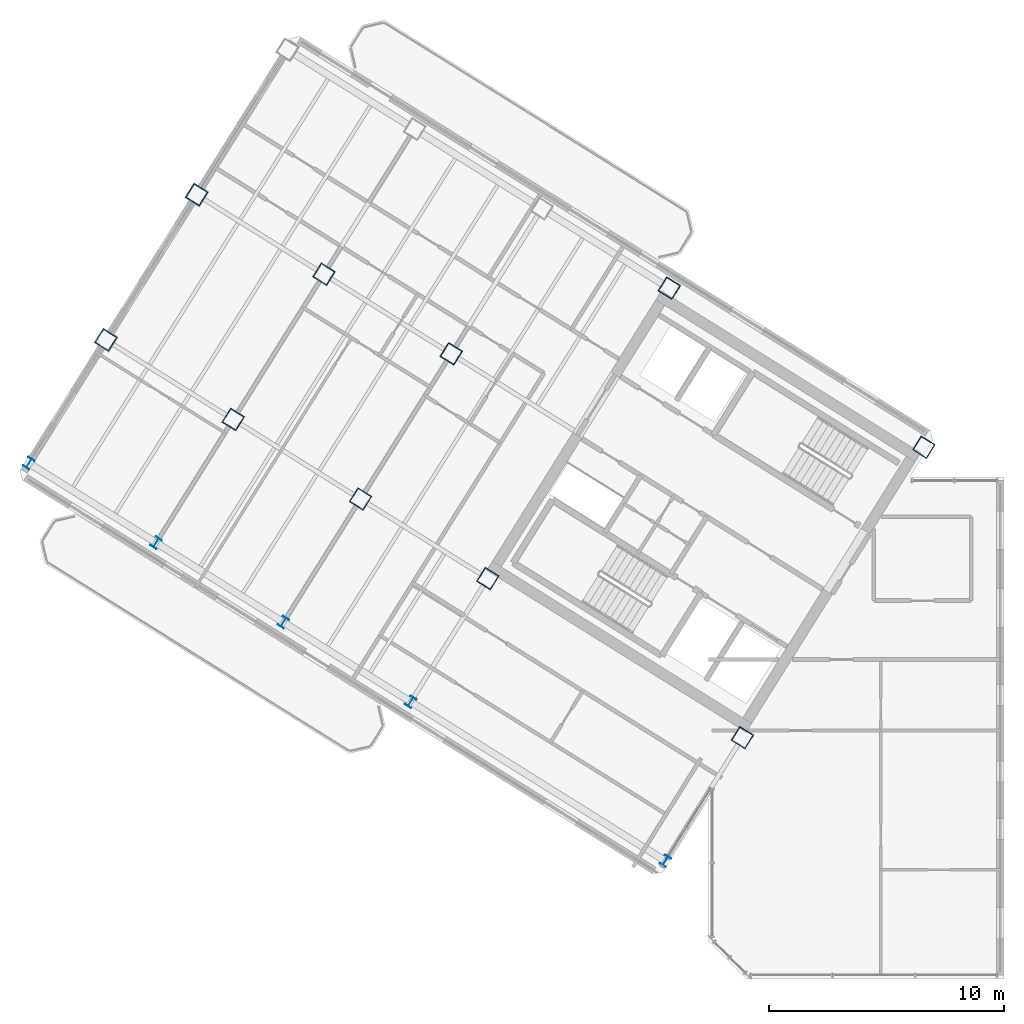
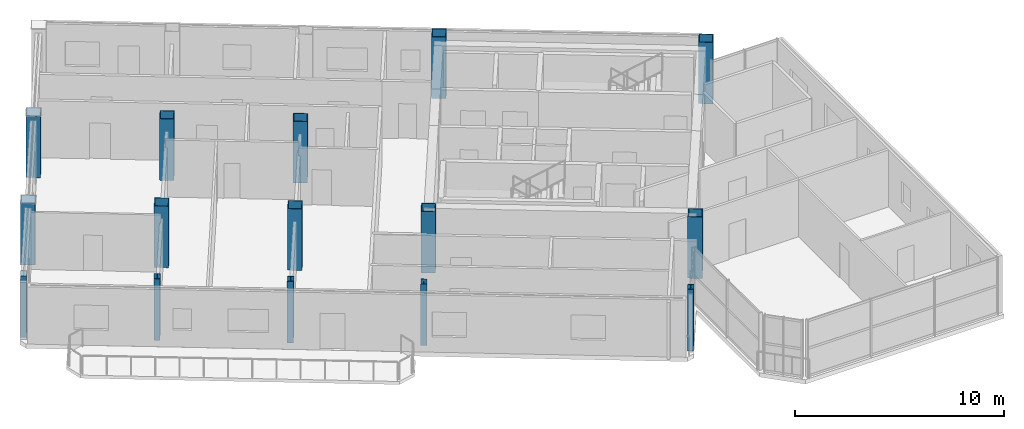
# One storey, part 1 of 17: 15 columns.
"""IFC4 building model written with IfcOpenShell, lengths in metres."""

import ifcopenshell
import ifcopenshell.guid

model = None  # the IFC model being written
_history = None  # IfcOwnerHistory: only IFC2X3 demands one
_inside = {}  # id of a spatial element -> (the spatial element, [elements in it])
_under = {}  # id of a project, library or spatial element -> (it, [spatial elements below it])
_declared = {}  # id of a project -> (the project, [libraries it declares])
_typed = {}  # id of a type object -> (the type object, [elements of that type])
_made_of = {}  # id of a material, layer set ... -> (it, [elements and type objects made of it])


def new_model(schema):
    """Start an empty IFC model of exactly this schema.

    Asked for "IFC4X3", IfcOpenShell would pick the latest addendum, in which some entities
    have other attributes; the version numbers below select the first issue.
    IFC2X3 requires an IfcOwnerHistory on every rooted entity: one is made here for all.
    """
    global model, _history
    if schema == "IFC4X3":
        model = ifcopenshell.file(schema_version=(4, 3, 0, 0))
    else:
        model = ifcopenshell.file(schema=schema)
    _inside.clear()
    _under.clear()
    _declared.clear()
    _typed.clear()
    _made_of.clear()
    _history = None
    if model.schema == "IFC2X3":
        org = make("IfcOrganization", Name="unknown")
        user = make(
            "IfcPersonAndOrganization",
            ThePerson=make("IfcPerson", FamilyName="unknown"),
            TheOrganization=org,
        )
        app = make(
            "IfcApplication",
            ApplicationDeveloper=org,
            Version="unknown",
            ApplicationFullName="unknown",
            ApplicationIdentifier="unknown",
        )
        _history = make(
            "IfcOwnerHistory",
            OwningUser=user,
            OwningApplication=app,
            ChangeAction="ADDED",
            CreationDate=0,
        )
    return model


def make(cls, **values):
    """One entity of the class cls with the attributes given. An attribute that is None is left unset."""
    return model.create_entity(
        cls, **{name: value for name, value in values.items() if value is not None}
    )


def rooted(cls, **values):
    """An entity with a GlobalId (a new one), such as an element, a storey or a relation."""
    return make(cls, GlobalId=ifcopenshell.guid.new(), OwnerHistory=_history, **values)


def si_unit(unit_type, name, prefix=None):
    """IfcSIUnit, for example si_unit("LENGTHUNIT", "METRE", prefix="MILLI")."""
    return make("IfcSIUnit", UnitType=unit_type, Prefix=prefix, Name=name)


def assignment(units):
    """IfcUnitAssignment: the units of a project."""
    return None if units is None else make("IfcUnitAssignment", Units=units)


def point(xyz):
    """IfcCartesianPoint."""
    return None if xyz is None else make("IfcCartesianPoint", Coordinates=xyz)


def direction(xyz):
    """IfcDirection."""
    return None if xyz is None else make("IfcDirection", DirectionRatios=xyz)


def frame(location, z_axis=None, x_axis=None):
    """IfcAxis2Placement3D, a coordinate frame: its origin and axes. An axis left out is left unset."""
    return make(
        "IfcAxis2Placement3D",
        Location=point(location),
        Axis=direction(z_axis),
        RefDirection=direction(x_axis),
    )


def frame_2d(location, x_axis=None):
    """IfcAxis2Placement2D, a coordinate frame in the plane: its origin and x axis."""
    return make(
        "IfcAxis2Placement2D", Location=point(location), RefDirection=direction(x_axis)
    )


def origin():
    """The frame at (0, 0, 0) with its axes left unset."""
    return frame((0.0, 0.0, 0.0))


def origin_2d():
    """The frame at (0, 0) in the plane with its x axis left unset."""
    return frame_2d((0.0, 0.0))


def place(relative_to, where):
    """IfcLocalPlacement: puts the frame where relative to a parent placement (None: the world)."""
    return make(
        "IfcLocalPlacement", PlacementRelTo=relative_to, RelativePlacement=where
    )


def context(
    kind, dimensions, precision=None, world=None, true_north=None, identifier=None
):
    """IfcGeometricRepresentationContext, for example the 3D "Model" context."""
    return make(
        "IfcGeometricRepresentationContext",
        ContextIdentifier=identifier,
        ContextType=kind,
        CoordinateSpaceDimension=dimensions,
        Precision=precision,
        WorldCoordinateSystem=world,
        TrueNorth=true_north,
    )


def subcontext(parent, identifier, kind, view, scale=None):
    """IfcGeometricRepresentationSubContext, for example "Body" below "Model"."""
    return make(
        "IfcGeometricRepresentationSubContext",
        ContextIdentifier=identifier,
        ContextType=kind,
        ParentContext=parent,
        TargetScale=scale,
        TargetView=view,
    )


def project(units=None, contexts=None):
    """IfcProject with its units and contexts."""
    return rooted(
        "IfcProject",
        Name="project",
        RepresentationContexts=contexts,
        UnitsInContext=assignment(units),
    )


def spatial(cls, under=None, at=None, **own):
    """A site, building, storey or space (cls), placed at a placement, below another one or the project."""
    s = rooted(cls, ObjectPlacement=at, **own)
    if under is not None:
        _under.setdefault(under.id(), (under, []))[1].append(s)
    return s


def profile(cls, at=None, kind="AREA", **sizes):
    """A parametric profile (cls). Its sizes go by their IFC names, for example OverallWidth=200.0."""
    return make(cls, ProfileType=kind, Position=at, **sizes)


def hollow_rectangle(**sizes):
    """IfcRectangleHollowProfileDef."""
    return profile("IfcRectangleHollowProfileDef", **sizes)


def i_section(**sizes):
    """IfcIShapeProfileDef."""
    return profile("IfcIShapeProfileDef", **sizes)


def extrude(swept, where, along, depth):
    """IfcExtrudedAreaSolid: the profile swept, set in the frame where, extruded along a direction by depth."""
    return make(
        "IfcExtrudedAreaSolid",
        SweptArea=swept,
        Position=where,
        ExtrudedDirection=direction(along),
        Depth=depth,
    )


def shape(context_of_items, identifier, shape_type, items):
    """IfcShapeRepresentation: the items that make up one representation, for example the "Body"."""
    return make(
        "IfcShapeRepresentation",
        ContextOfItems=context_of_items,
        RepresentationIdentifier=identifier,
        RepresentationType=shape_type,
        Items=items,
    )


def source(mapping_origin, context_of_items, identifier, shape_type, items):
    """IfcRepresentationMap: a shape defined once, which mapped items show again and again."""
    return make(
        "IfcRepresentationMap",
        MappingOrigin=mapping_origin,
        MappedRepresentation=shape(context_of_items, identifier, shape_type, items),
    )


def transform(
    local_origin,
    x_axis=None,
    y_axis=None,
    z_axis=None,
    scale=None,
    scale2=None,
    scale3=None,
    uniform=True,
):
    """IfcCartesianTransformationOperator3D, or its non-uniform kind. x_axis, y_axis, z_axis: its Axis1, 2, 3."""
    if uniform:
        return make(
            "IfcCartesianTransformationOperator3D",
            Axis1=direction(x_axis),
            Axis2=direction(y_axis),
            LocalOrigin=point(local_origin),
            Scale=scale,
            Axis3=direction(z_axis),
        )
    return make(
        "IfcCartesianTransformationOperator3DnonUniform",
        Axis1=direction(x_axis),
        Axis2=direction(y_axis),
        LocalOrigin=point(local_origin),
        Scale=scale,
        Axis3=direction(z_axis),
        Scale2=scale2,
        Scale3=scale3,
    )


def mapped(mapping_source, mapping_target):
    """IfcMappedItem: shows the shape of a source again, moved by a transform."""
    return make(
        "IfcMappedItem", MappingSource=mapping_source, MappingTarget=mapping_target
    )


def material(Name=None, Category=None):
    """IfcMaterial."""
    return make("IfcMaterial", Name=Name, Category=Category)


def material_profile(
    of_material, cross_section, Name=None, Category=None, Priority=None
):
    """IfcMaterialProfile: a cross section and its material."""
    return make(
        "IfcMaterialProfile",
        Name=Name,
        Material=of_material,
        Profile=cross_section,
        Priority=Priority,
        Category=Category,
    )


def profile_set(profiles, Name=None, composite=None):
    """IfcMaterialProfileSet."""
    return make(
        "IfcMaterialProfileSet",
        Name=Name,
        MaterialProfiles=profiles,
        CompositeProfile=composite,
    )


def made_of(thing, what):
    """Note that an element or type object is made of a material, layer set ...; save() writes the relation."""
    if what is not None:
        _made_of.setdefault(what.id(), (what, []))[1].append(thing)
    return thing


def type_object(cls, material=None, **own):
    """A type object (cls), such as IfcWallType, which elements share."""
    return made_of(rooted(cls, **own), material)


def element(
    cls,
    number,
    at=None,
    inside=None,
    cuts=None,
    type_object=None,
    material=None,
    context=None,
    identifier="Body",
    shape_type=None,
    held_by="IfcProductDefinitionShape",
    body=None,
    shapes=None,
    **own,
):
    """One element of the class cls, such as IfcWall. Its Tag is "e" and its number.

    at: its placement. inside: the storey or other place that contains it. cuts: it is an
    opening in that element (IfcRelVoidsElement). A single representation is given by context,
    identifier, shape_type and body (its items); several are given by shapes. held_by: the class
    of the entity that holds the representations. save() writes the other relations.
    """
    e = rooted(cls, Tag="e%d" % number, ObjectPlacement=at, **own)
    if body is not None:
        shapes = [shape(context, identifier, shape_type, body)]
    if shapes is not None:
        e.Representation = make(held_by, Representations=shapes)
    if inside is not None:
        _inside.setdefault(inside.id(), (inside, []))[1].append(e)
    if cuts is not None:
        rooted(
            "IfcRelVoidsElement", RelatingBuildingElement=cuts, RelatedOpeningElement=e
        )
    if type_object is not None:
        _typed.setdefault(type_object.id(), (type_object, []))[1].append(e)
    return made_of(e, material)


def aggregate(whole, parts):
    """IfcRelAggregates: a whole, such as a stair, and the parts it consists of."""
    return rooted("IfcRelAggregates", RelatingObject=whole, RelatedObjects=parts)


def save(model, path):
    """Write the relations noted so far, then the file.

    IfcRelAggregates (storeys below a building ...), IfcRelContainedInSpatialStructure (elements
    in a storey), IfcRelDefinesByType, IfcRelAssociatesMaterial and IfcRelDeclares: one each for
    every whole, place, type object, material and project.
    """
    for whole, parts in _under.values():
        aggregate(whole, parts)
    for where, things in _inside.values():
        rooted(
            "IfcRelContainedInSpatialStructure",
            RelatedElements=things,
            RelatingStructure=where,
        )
    for kind, things in _typed.values():
        rooted("IfcRelDefinesByType", RelatedObjects=things, RelatingType=kind)
    for what, things in _made_of.values():
        rooted("IfcRelAssociatesMaterial", RelatedObjects=things, RelatingMaterial=what)
    for by, libraries in _declared.values():
        rooted("IfcRelDeclares", RelatingContext=by, RelatedDefinitions=libraries)
    model.write(path)


model = new_model("IFC4")

# Units and contexts
model_context = context("Model", 3, precision=1e-05, world=origin(), true_north=direction((0.0, 1.0)))
body_context = subcontext(model_context, "Body", "Model", "MODEL_VIEW")
ifc_project = project(units=[si_unit("LENGTHUNIT", "METRE"), si_unit("AREAUNIT", "SQUARE_METRE"), si_unit("VOLUMEUNIT", "CUBIC_METRE"), si_unit("PLANEANGLEUNIT", "RADIAN"), si_unit("MASSUNIT", "GRAM", prefix="KILO")], contexts=[model_context])

# Site, building, storey
site_placement = place(None, origin())
site = spatial("IfcSite", under=ifc_project, at=site_placement, CompositionType="ELEMENT")
building_placement = place(site_placement, origin())
building = spatial("IfcBuilding", under=site, at=building_placement, Name="Tlacorven Tower", CompositionType="ELEMENT")
storey_placement = place(building_placement, frame((0.0, 0.0, 277.199951171875)))
storey = spatial("IfcBuildingStorey", under=building, at=storey_placement, Name="L70", CompositionType="ELEMENT", Elevation=277.199951171875)

# Columns
ifc_material_1 = material(Name="Steel S355J2", Category="steel")
ifc_material_profile_1 = material_profile(ifc_material_1, i_section(OverallWidth=0.300048828125, OverallDepth=0.449951171875, WebThickness=0.013916015625, FlangeThickness=0.02587890625, at=origin_2d()), Name="HEB 450")
ifc_profile_set_1 = profile_set([ifc_material_profile_1], Name="Steel S355J2")
column_type_1 = type_object("IfcColumnType", Name="COL-TWR-P3", PredefinedType="COLUMN", material=ifc_profile_set_1)
shared_shape_1 = source(origin(), body_context, "Body", "SweptSolid", [
    extrude(i_section(OverallWidth=0.300048828125, OverallDepth=0.449951171875, WebThickness=0.013916015625, FlangeThickness=0.02587890625, at=origin_2d()), origin(), (0.0, 0.0, 1.0), 3.60009765625),
])
for number, where, z_axis, x_axis, name in (
    (1, (29.7607421875, 6.8291015625, 0.0), (0.0, 0.0, 1.0), (-0.848048096156, 0.529919264233, 0.0), "L70 column COL-L70-W1-4"),
    (2, (18.905517578125, 13.612060546875, 0.0), (0.0, 0.0, 1.0), (-0.848048096156, 0.529919264233, 0.0), "L70 column COL-L70-W3-4"),
    (3, (13.47802734375, 17.00341796875, 0.0), (0.0, 0.0, 1.0), (-0.848048096156, 0.529919264233, 0.0), "L70 column COL-L70-W4-4"),
    (4, (8.050537109375, 20.39501953125, 0.0), (0.0, 0.0, 1.0), (-0.848048096156, 0.529919264233, 0.0), "L70 column COL-L70-W5-4"),
    (5, (2.623046875, 23.786376953125, 0.0), (0.0, 0.0, 1.0), (-0.848048096156, 0.529919264233, 0.0), "L70 column COL-L70-W6-4"),
):
    element("IfcColumn", number, at=place(storey_placement, frame(where, z_axis=z_axis, x_axis=x_axis)), inside=storey, type_object=column_type_1, Name=name, PredefinedType="COLUMN", context=body_context, shape_type="MappedRepresentation", body=[
        mapped(shared_shape_1, transform((0.0, 0.0, 0.0), scale=1.0)),
    ])
ifc_material_2 = material(Name="Steel S460M", Category="steel")
ifc_material_profile_2 = material_profile(ifc_material_2, hollow_rectangle(XDim=0.699951171875, YDim=0.699951171875, WallThickness=0.028076171875, at=origin_2d()), Name="BOX 700X700X28")
ifc_profile_set_2 = profile_set([ifc_material_profile_2], Name="Steel S460M")
column_type_2 = type_object("IfcColumnType", Name="COL-TWR-S4", PredefinedType="COLUMN", material=ifc_profile_set_2)
shared_shape_2 = source(origin(), body_context, "Body", "SweptSolid", [
    extrude(hollow_rectangle(XDim=0.699951171875, YDim=0.699951171875, WallThickness=0.028076171875, at=origin_2d()), origin(), (0.0, 0.0, 1.0), 3.60009765625),
])
for number, where, z_axis, x_axis, name in (
    (6, (40.782958984375, 24.468505859375, 0.0), (0.0, 0.0, 1.0), (-0.848048096156, 0.529919264233, 0.0), "L70 column COL-L70-W1-1"),
    (7, (33.046142578125, 12.0869140625, 0.0), (0.0, 0.0, 1.0), (-0.848048096156, 0.529919264233, 0.0), "L70 column COL-L70-W1-3"),
    (8, (29.927978515625, 31.25146484375, 0.0), (0.0, 0.0, 1.0), (-0.848048096156, 0.529919264233, 0.0), "L70 column COL-L70-W3-1"),
    (9, (22.191162109375, 18.869873046875, 0.0), (0.0, 0.0, 1.0), (-0.848048096156, 0.529919264233, 0.0), "L70 column COL-L70-W3-3"),
    (10, (20.632080078125, 28.4521484375, 0.0), (0.0, 0.0, 1.0), (-0.848048096156, 0.529919264233, 0.0), "L70 column COL-L70-W4-2"),
    (11, (16.763671875, 22.26123046875, 0.0), (0.0, 0.0, 1.0), (-0.848048096156, 0.529919264233, 0.0), "L70 column COL-L70-W4-3"),
    (12, (15.20458984375, 31.843505859375, 0.0), (0.0, 0.0, 1.0), (-0.848048096156, 0.529919264233, 0.0), "L70 column COL-L70-W5-2"),
    (13, (11.336181640625, 25.65283203125, 0.0), (0.0, 0.0, 1.0), (-0.848048096156, 0.529919264233, 0.0), "L70 column COL-L70-W5-3"),
    (14, (9.777099609375, 35.235107421875, 0.0), (0.0, 0.0, 1.0), (-0.848048096156, 0.529919264233, 0.0), "L70 column COL-L70-W6-2"),
    (15, (5.90869140625, 29.044189453125, 0.0), (0.0, 0.0, 1.0), (-0.848048096156, 0.529919264233, 0.0), "L70 column COL-L70-W6-3"),
):
    element("IfcColumn", number, at=place(storey_placement, frame(where, z_axis=z_axis, x_axis=x_axis)), inside=storey, type_object=column_type_2, Name=name, PredefinedType="COLUMN", context=body_context, shape_type="MappedRepresentation", body=[
        mapped(shared_shape_2, transform((0.0, 0.0, 0.0), scale=1.0)),
    ])

save(model, "model.ifc")
